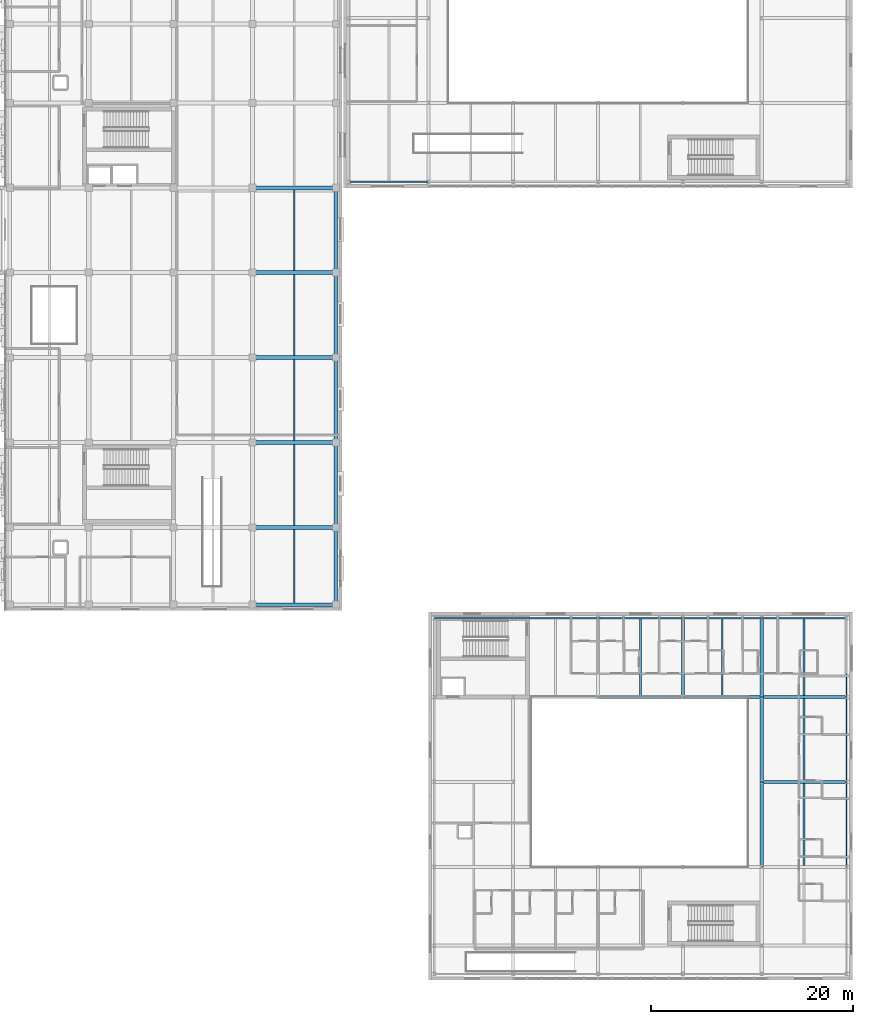
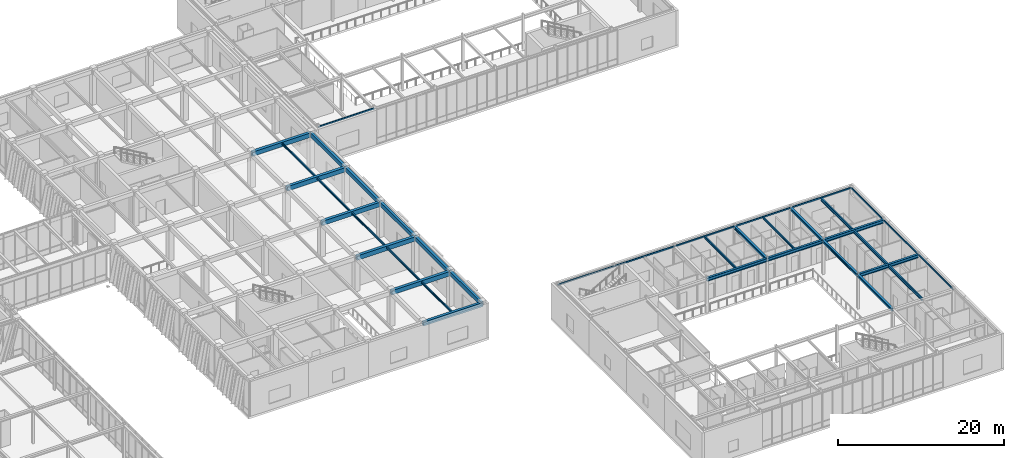
# One storey, part 82 of 139: 38 beams.
"""IFC4 building model written with IfcOpenShell, lengths in metres."""

from ifc_helpers import new_model, si_unit, direction, frame, origin, origin_2d, place, context, subcontext, project, spatial, rectangle, hollow_rectangle, i_section, extrude, material, material_profile, profile_set, type_object, element, save


model = new_model("IFC4")

# Units and contexts
model_context = context("Model", 3, precision=1e-05, world=origin(), true_north=direction((0.0, 1.0)))
body_context = subcontext(model_context, "Body", "Model", "MODEL_VIEW")
ifc_project = project(units=[si_unit("LENGTHUNIT", "METRE"), si_unit("AREAUNIT", "SQUARE_METRE"), si_unit("VOLUMEUNIT", "CUBIC_METRE"), si_unit("PLANEANGLEUNIT", "RADIAN"), si_unit("MASSUNIT", "GRAM", prefix="KILO")], contexts=[model_context])

# Site, building, storey
site_placement = place(None, origin())
site = spatial("IfcSite", under=ifc_project, at=site_placement, CompositionType="ELEMENT")
building_placement = place(site_placement, origin())
building = spatial("IfcBuilding", under=site, at=building_placement, Name="Zayran Congress Hotel", CompositionType="ELEMENT")
storey_placement = place(building_placement, frame((0.0, 0.0, 5.39990234375)))
storey = spatial("IfcBuildingStorey", under=building, at=storey_placement, Name="L01", CompositionType="ELEMENT", Elevation=5.39990234375)

# Beams
ifc_material_1 = material(Name="Concrete C40/50", Category="concrete")
ifc_material_profile_1 = material_profile(ifc_material_1, rectangle(XDim=0.39990234375, YDim=0.64990234375, at=origin_2d()), Name="RC 400x650")
ifc_profile_set_1 = profile_set([ifc_material_profile_1], Name="Concrete C40/50")
beam_type_1 = type_object("IfcBeamType", Name="TP-BM-03", PredefinedType="BEAM", material=ifc_profile_set_1)
for number, where, z_axis, x_axis, name in (
    (1, (133.800048828125, 50.800048828125, 4.775146484375), (1.0, 0.0, 0.0), (0.0, 1.0, 0.0), "BM-V4-L01-1315"),
    (2, (133.800048828125, 59.199951171875, 4.775146484375), (1.0, 0.0, 0.0), (0.0, 1.0, 0.0), "BM-V4-L01-1319"),
    (3, (133.800048828125, 67.60009765625, 4.775146484375), (1.0, 0.0, 0.0), (0.0, 1.0, 0.0), "BM-V4-L01-1323"),
    (4, (133.800048828125, 76.0, 4.775146484375), (1.0, 0.0, 0.0), (0.0, 1.0, 0.0), "BM-V4-L01-1327"),
    (5, (133.800048828125, 84.39990234375, 4.775146484375), (1.0, 0.0, 0.0), (0.0, 1.0, 0.0), "BM-V4-L01-1331"),
):
    element("IfcBeam", number, at=place(storey_placement, frame(where, z_axis=z_axis, x_axis=x_axis)), inside=storey, type_object=beam_type_1, Name=name, PredefinedType="BEAM", context=body_context, shape_type="SweptSolid", body=[
        extrude(rectangle(XDim=0.39990234375, YDim=0.64990234375, at=origin_2d()), origin(), (0.0, 0.0, 1.0), 8.25),
    ])
ifc_material_profile_2 = material_profile(ifc_material_1, rectangle(XDim=0.35009765625, YDim=0.60009765625, at=origin_2d()), Name="RC 350x600")
ifc_profile_set_2 = profile_set([ifc_material_profile_2], Name="Concrete C40/50")
beam_type_2 = type_object("IfcBeamType", Name="TP-SP-01", PredefinedType="SPANDREL", material=ifc_profile_set_2)
beam_1_placement = place(storey_placement, frame((133.800048828125, 43.14990234375, 4.800048828125), z_axis=(1.0, 0.0, 0.0), x_axis=(0.0, 1.0, 0.0)))
element("IfcBeam", 6, at=beam_1_placement, inside=storey, type_object=beam_type_2, Name="BM-V4-L01-1311", PredefinedType="SPANDREL", context=body_context, shape_type="SweptSolid", body=[
    extrude(rectangle(XDim=0.35009765625, YDim=0.60009765625, at=origin_2d()), origin(), (0.0, 0.0, 1.0), 8.25),
])
beam_2_placement = place(storey_placement, frame((142.050048828125, 43.14990234375, 4.800048828125), z_axis=(0.0, 1.0, 0.0), x_axis=(-1.0, 0.0, 0.0)))
element("IfcBeam", 7, at=beam_2_placement, inside=storey, type_object=beam_type_2, Name="BM-V4-L01-1374", PredefinedType="SPANDREL", context=body_context, shape_type="SweptSolid", body=[
    extrude(rectangle(XDim=0.35009765625, YDim=0.60009765625, at=origin_2d()), origin(), (0.0, 0.0, 1.0), 7.650146484375),
])
beam_3_placement = place(storey_placement, frame((142.050048828125, 50.800048828125, 4.800048828125), z_axis=(0.0, 1.0, 0.0), x_axis=(-1.0, 0.0, 0.0)))
element("IfcBeam", 8, at=beam_3_placement, inside=storey, type_object=beam_type_2, Name="BM-V4-L01-1375", PredefinedType="SPANDREL", context=body_context, shape_type="SweptSolid", body=[
    extrude(rectangle(XDim=0.35009765625, YDim=0.60009765625, at=origin_2d()), origin(), (0.0, 0.0, 1.0), 8.39990234375),
])
beam_4_placement = place(storey_placement, frame((142.050048828125, 59.199951171875, 4.800048828125), z_axis=(0.0, 1.0, 0.0), x_axis=(-1.0, 0.0, 0.0)))
element("IfcBeam", 9, at=beam_4_placement, inside=storey, type_object=beam_type_2, Name="BM-V4-L01-1376", PredefinedType="SPANDREL", context=body_context, shape_type="SweptSolid", body=[
    extrude(rectangle(XDim=0.35009765625, YDim=0.60009765625, at=origin_2d()), origin(), (0.0, 0.0, 1.0), 8.400146484375),
])
for number, where, z_axis, x_axis, name in (
    (10, (142.050048828125, 67.60009765625, 4.800048828125), (0.0, 1.0, 0.0), (-1.0, 0.0, 0.0), "BM-V4-L01-1377"),
    (11, (142.050048828125, 76.0, 4.800048828125), (0.0, 1.0, 0.0), (-1.0, 0.0, 0.0), "BM-V4-L01-1378"),
):
    element("IfcBeam", number, at=place(storey_placement, frame(where, z_axis=z_axis, x_axis=x_axis)), inside=storey, type_object=beam_type_2, Name=name, PredefinedType="SPANDREL", context=body_context, shape_type="SweptSolid", body=[
        extrude(rectangle(XDim=0.35009765625, YDim=0.60009765625, at=origin_2d()), origin(), (0.0, 0.0, 1.0), 8.39990234375),
    ])
ifc_material_2 = material(Name="Steel S355", Category="steel")
ifc_material_profile_3 = material_profile(ifc_material_2, i_section(OverallWidth=0.300048828125, OverallDepth=0.489990234375, WebThickness=0.011962890625, FlangeThickness=0.02294921875, at=origin_2d()), Name="HEA 500")
ifc_profile_set_3 = profile_set([ifc_material_profile_3], Name="Steel S355")
beam_type_3 = type_object("IfcBeamType", Name="TP-BM-05", PredefinedType="BEAM", material=ifc_profile_set_3)
beam_5_placement = place(storey_placement, frame((184.199951171875, 25.60009765625, 4.85498046875), z_axis=(1.0, 0.0, 0.0), x_axis=(0.0, 1.0, 0.0)))
element("IfcBeam", 12, at=beam_5_placement, inside=storey, type_object=beam_type_3, Name="BM-V3-L01-1127", PredefinedType="BEAM", context=body_context, shape_type="SweptSolid", body=[
    extrude(i_section(OverallWidth=0.300048828125, OverallDepth=0.489990234375, WebThickness=0.011962890625, FlangeThickness=0.02294921875, at=origin_2d()), origin(), (0.0, 0.0, 1.0), 8.400146484375),
])
beam_6_placement = place(storey_placement, frame((168.0, 34.0, 4.85498046875), z_axis=(1.0, 0.0, 0.0), x_axis=(0.0, 1.0, 0.0)))
element("IfcBeam", 13, at=beam_6_placement, inside=storey, type_object=beam_type_3, Name="BM-V3-L01-1130", PredefinedType="BEAM", context=body_context, shape_type="SweptSolid", body=[
    extrude(i_section(OverallWidth=0.300048828125, OverallDepth=0.489990234375, WebThickness=0.011962890625, FlangeThickness=0.02294921875, at=origin_2d()), origin(), (0.0, 0.0, 1.0), 8.39990234375),
])
beam_7_placement = place(storey_placement, frame((176.39990234375, 34.0, 4.85498046875), z_axis=(1.0, 0.0, 0.0), x_axis=(0.0, 1.0, 0.0)))
element("IfcBeam", 14, at=beam_7_placement, inside=storey, type_object=beam_type_3, Name="BM-V3-L01-1131", PredefinedType="BEAM", context=body_context, shape_type="SweptSolid", body=[
    extrude(i_section(OverallWidth=0.300048828125, OverallDepth=0.489990234375, WebThickness=0.011962890625, FlangeThickness=0.02294921875, at=origin_2d()), origin(), (0.0, 0.0, 1.0), 7.800048828125),
])
beam_8_placement = place(storey_placement, frame((184.199951171875, 34.0, 4.85498046875), z_axis=(1.0, 0.0, 0.0), x_axis=(0.0, 1.0, 0.0)))
element("IfcBeam", 15, at=beam_8_placement, inside=storey, type_object=beam_type_3, Name="BM-V3-L01-1132", PredefinedType="BEAM", context=body_context, shape_type="SweptSolid", body=[
    extrude(i_section(OverallWidth=0.300048828125, OverallDepth=0.489990234375, WebThickness=0.011962890625, FlangeThickness=0.02294921875, at=origin_2d()), origin(), (0.0, 0.0, 1.0), 8.400146484375),
])
ifc_material_profile_4 = material_profile(ifc_material_2, i_section(OverallWidth=0.300048828125, OverallDepth=0.389892578125, WebThickness=0.010986328125, FlangeThickness=0.01904296875, at=origin_2d()), Name="HEA 400")
ifc_profile_set_4 = profile_set([ifc_material_profile_4], Name="Steel S355")
beam_type_4 = type_object("IfcBeamType", Name="TP-BM-06", PredefinedType="BEAM", material=ifc_profile_set_4)
beam_9_placement = place(storey_placement, frame((176.39990234375, 34.0, 4.905029296875), z_axis=(0.0, 1.0, 0.0), x_axis=(-1.0, 0.0, 0.0)))
element("IfcBeam", 16, at=beam_9_placement, inside=storey, type_object=beam_type_4, Name="BM-V3-L01-1151", PredefinedType="BEAM", context=body_context, shape_type="SweptSolid", body=[
    extrude(i_section(OverallWidth=0.300048828125, OverallDepth=0.389892578125, WebThickness=0.010986328125, FlangeThickness=0.01904296875, at=origin_2d()), origin(), (0.0, 0.0, 1.0), 7.800048828125),
])
beam_10_placement = place(storey_placement, frame((184.199951171875, 17.199951171875, 4.905029296875), z_axis=(0.0, 1.0, 0.0), x_axis=(-1.0, 0.0, 0.0)))
element("IfcBeam", 17, at=beam_10_placement, inside=storey, type_object=beam_type_4, Name="BM-V3-L01-1154", PredefinedType="BEAM", context=body_context, shape_type="SweptSolid", body=[
    extrude(i_section(OverallWidth=0.300048828125, OverallDepth=0.389892578125, WebThickness=0.010986328125, FlangeThickness=0.01904296875, at=origin_2d()), origin(), (0.0, 0.0, 1.0), 8.400146484375),
])
beam_11_placement = place(storey_placement, frame((184.199951171875, 25.60009765625, 4.905029296875), z_axis=(0.0, 1.0, 0.0), x_axis=(-1.0, 0.0, 0.0)))
element("IfcBeam", 18, at=beam_11_placement, inside=storey, type_object=beam_type_4, Name="BM-V3-L01-1155", PredefinedType="BEAM", context=body_context, shape_type="SweptSolid", body=[
    extrude(i_section(OverallWidth=0.300048828125, OverallDepth=0.389892578125, WebThickness=0.010986328125, FlangeThickness=0.01904296875, at=origin_2d()), origin(), (0.0, 0.0, 1.0), 8.39990234375),
])
beam_12_placement = place(storey_placement, frame((184.199951171875, 34.0, 4.905029296875), z_axis=(0.0, 1.0, 0.0), x_axis=(-1.0, 0.0, 0.0)))
element("IfcBeam", 19, at=beam_12_placement, inside=storey, type_object=beam_type_4, Name="BM-V3-L01-1156", PredefinedType="BEAM", context=body_context, shape_type="SweptSolid", body=[
    extrude(i_section(OverallWidth=0.300048828125, OverallDepth=0.389892578125, WebThickness=0.010986328125, FlangeThickness=0.01904296875, at=origin_2d()), origin(), (0.0, 0.0, 1.0), 7.800048828125),
])
ifc_material_profile_5 = material_profile(ifc_material_2, i_section(OverallWidth=0.18994140625, OverallDepth=0.449951171875, WebThickness=0.009521484375, FlangeThickness=0.0146484375, at=origin_2d()), Name="IPE 450")
ifc_profile_set_5 = profile_set([ifc_material_profile_5], Name="Steel S355")
beam_type_5 = type_object("IfcBeamType", Name="TP-JS-02", PredefinedType="JOIST", material=ifc_profile_set_5)
beam_13_placement = place(storey_placement, frame((188.39990234375, 17.35009765625, 4.875), z_axis=(0.0, 1.0, 0.0), x_axis=(-1.0, 0.0, 0.0)))
element("IfcBeam", 20, at=beam_13_placement, inside=storey, type_object=beam_type_5, Name="JST-V3-L01-1171", PredefinedType="JOIST", context=body_context, shape_type="SweptSolid", body=[
    extrude(i_section(OverallWidth=0.18994140625, OverallDepth=0.449951171875, WebThickness=0.009521484375, FlangeThickness=0.0146484375, at=origin_2d()), origin(), (0.0, 0.0, 1.0), 8.099853515625),
])
beam_14_placement = place(storey_placement, frame((188.39990234375, 25.75, 4.875), z_axis=(0.0, 1.0, 0.0), x_axis=(-1.0, 0.0, 0.0)))
element("IfcBeam", 21, at=beam_14_placement, inside=storey, type_object=beam_type_5, Name="JST-V3-L01-1172", PredefinedType="JOIST", context=body_context, shape_type="SweptSolid", body=[
    extrude(i_section(OverallWidth=0.18994140625, OverallDepth=0.449951171875, WebThickness=0.009521484375, FlangeThickness=0.0146484375, at=origin_2d()), origin(), (0.0, 0.0, 1.0), 8.10009765625),
])
beam_15_placement = place(storey_placement, frame((188.39990234375, 34.14990234375, 4.875), z_axis=(0.0, 1.0, 0.0), x_axis=(-1.0, 0.0, 0.0)))
element("IfcBeam", 22, at=beam_15_placement, inside=storey, type_object=beam_type_5, Name="JST-V3-L01-1173", PredefinedType="JOIST", context=body_context, shape_type="SweptSolid", body=[
    extrude(i_section(OverallWidth=0.18994140625, OverallDepth=0.449951171875, WebThickness=0.009521484375, FlangeThickness=0.0146484375, at=origin_2d()), origin(), (0.0, 0.0, 1.0), 7.590087890625),
])
ifc_material_profile_6 = material_profile(ifc_material_2, i_section(OverallWidth=0.169921875, OverallDepth=0.360107421875, WebThickness=0.008056640625, FlangeThickness=0.0126953125, at=origin_2d()), Name="IPE 360")
ifc_profile_set_6 = profile_set([ifc_material_profile_6], Name="Steel S355")
beam_type_6 = type_object("IfcBeamType", Name="TP-JS-04", PredefinedType="JOIST", material=ifc_profile_set_6)
beam_16_placement = place(storey_placement, frame((172.199951171875, 34.14990234375, 4.920166015625), z_axis=(0.0, 1.0, 0.0), x_axis=(-1.0, 0.0, 0.0)))
element("IfcBeam", 23, at=beam_16_placement, inside=storey, type_object=beam_type_6, Name="JST-V3-L01-1168", PredefinedType="JOIST", context=body_context, shape_type="SweptSolid", body=[
    extrude(i_section(OverallWidth=0.169921875, OverallDepth=0.360107421875, WebThickness=0.008056640625, FlangeThickness=0.0126953125, at=origin_2d()), origin(), (0.0, 0.0, 1.0), 7.590087890625),
])
ifc_material_profile_7 = material_profile(ifc_material_2, i_section(OverallWidth=0.14990234375, OverallDepth=0.300048828125, WebThickness=0.007080078125, FlangeThickness=0.0107421875, at=origin_2d()), Name="IPE 300")
ifc_profile_set_7 = profile_set([ifc_material_profile_7], Name="Steel S355")
beam_type_7 = type_object("IfcBeamType", Name="TP-JS-05", PredefinedType="JOIST", material=ifc_profile_set_7)
beam_17_placement = place(storey_placement, frame((180.300048828125, 34.14990234375, 4.9501953125), z_axis=(0.0, 1.0, 0.0), x_axis=(-1.0, 0.0, 0.0)))
element("IfcBeam", 24, at=beam_17_placement, inside=storey, type_object=beam_type_7, Name="JST-V3-L01-1169", PredefinedType="JOIST", context=body_context, shape_type="SweptSolid", body=[
    extrude(i_section(OverallWidth=0.14990234375, OverallDepth=0.300048828125, WebThickness=0.007080078125, FlangeThickness=0.0107421875, at=origin_2d()), origin(), (0.0, 0.0, 1.0), 7.590087890625),
])
beam_18_placement = place(storey_placement, frame((137.925048828125, 43.324951171875, 4.9501953125), z_axis=(0.0, 1.0, 0.0), x_axis=(-1.0, 0.0, 0.0)))
element("IfcBeam", 25, at=beam_18_placement, inside=storey, type_object=beam_type_7, Name="JST-V4-L01-1404", PredefinedType="JOIST", context=body_context, shape_type="SweptSolid", body=[
    extrude(i_section(OverallWidth=0.14990234375, OverallDepth=0.300048828125, WebThickness=0.007080078125, FlangeThickness=0.0107421875, at=origin_2d()), origin(), (0.0, 0.0, 1.0), 7.275146484375),
])
for number, where, z_axis, x_axis, name in (
    (26, (137.925048828125, 51.0, 4.9501953125), (0.0, 1.0, 0.0), (-1.0, 0.0, 0.0), "JST-V4-L01-1405"),
    (27, (137.925048828125, 59.39990234375, 4.9501953125), (0.0, 1.0, 0.0), (-1.0, 0.0, 0.0), "JST-V4-L01-1406"),
    (28, (137.925048828125, 67.800048828125, 4.9501953125), (0.0, 1.0, 0.0), (-1.0, 0.0, 0.0), "JST-V4-L01-1407"),
    (29, (137.925048828125, 76.199951171875, 4.9501953125), (0.0, 1.0, 0.0), (-1.0, 0.0, 0.0), "JST-V4-L01-1408"),
):
    element("IfcBeam", number, at=place(storey_placement, frame(where, z_axis=z_axis, x_axis=x_axis)), inside=storey, type_object=beam_type_7, Name=name, PredefinedType="JOIST", context=body_context, shape_type="SweptSolid", body=[
        extrude(i_section(OverallWidth=0.14990234375, OverallDepth=0.300048828125, WebThickness=0.007080078125, FlangeThickness=0.0107421875, at=origin_2d()), origin(), (0.0, 0.0, 1.0), 8.0),
    ])
ifc_material_profile_8 = material_profile(ifc_material_2, hollow_rectangle(XDim=0.1201171875, YDim=0.199951171875, WallThickness=0.008056640625, at=origin_2d()), Name="RHS 200x120x8")
ifc_profile_set_8 = profile_set([ifc_material_profile_8], Name="Steel S355")
beam_type_8 = type_object("IfcBeamType", Name="TP-SP-02", PredefinedType="SPANDREL", material=ifc_profile_set_8)
for number, where, z_axis, x_axis, name in (
    (30, (143.39990234375, 85.0, 4.97998046875), (1.0, 0.0, 0.0), (0.0, 1.0, 0.0), "BM-V2-L01-0953"),
    (31, (151.800048828125, 41.800048828125, 5.0), (1.0, 0.0, 0.0), (0.0, 1.0, 0.0), "BM-V3-L01-1133"),
):
    element("IfcBeam", number, at=place(storey_placement, frame(where, z_axis=z_axis, x_axis=x_axis)), inside=storey, type_object=beam_type_8, Name=name, PredefinedType="SPANDREL", context=body_context, shape_type="SweptSolid", body=[
        extrude(hollow_rectangle(XDim=0.1201171875, YDim=0.199951171875, WallThickness=0.008056640625, at=origin_2d()), origin(), (0.0, 0.0, 1.0), 7.800048828125),
    ])
for number, where, z_axis, x_axis, name in (
    (32, (159.60009765625, 41.800048828125, 5.0), (1.0, 0.0, 0.0), (0.0, 1.0, 0.0), "BM-V3-L01-1134"),
    (33, (168.0, 41.800048828125, 5.0), (1.0, 0.0, 0.0), (0.0, 1.0, 0.0), "BM-V3-L01-1135"),
):
    element("IfcBeam", number, at=place(storey_placement, frame(where, z_axis=z_axis, x_axis=x_axis)), inside=storey, type_object=beam_type_8, Name=name, PredefinedType="SPANDREL", context=body_context, shape_type="SweptSolid", body=[
        extrude(hollow_rectangle(XDim=0.1201171875, YDim=0.199951171875, WallThickness=0.008056640625, at=origin_2d()), origin(), (0.0, 0.0, 1.0), 8.39990234375),
    ])
beam_19_placement = place(storey_placement, frame((176.39990234375, 41.800048828125, 5.0), z_axis=(1.0, 0.0, 0.0), x_axis=(0.0, 1.0, 0.0)))
element("IfcBeam", 34, at=beam_19_placement, inside=storey, type_object=beam_type_8, Name="BM-V3-L01-1136", PredefinedType="SPANDREL", context=body_context, shape_type="SweptSolid", body=[
    extrude(hollow_rectangle(XDim=0.1201171875, YDim=0.199951171875, WallThickness=0.008056640625, at=origin_2d()), origin(), (0.0, 0.0, 1.0), 7.800048828125),
])
for number, where, z_axis, x_axis, name in (
    (35, (184.199951171875, 41.800048828125, 5.0), (1.0, 0.0, 0.0), (0.0, 1.0, 0.0), "BM-V3-L01-1137"),
    (36, (192.60009765625, 17.199951171875, 5.0), (0.0, 1.0, 0.0), (-1.0, 0.0, 0.0), "BM-V3-L01-1159"),
):
    element("IfcBeam", number, at=place(storey_placement, frame(where, z_axis=z_axis, x_axis=x_axis)), inside=storey, type_object=beam_type_8, Name=name, PredefinedType="SPANDREL", context=body_context, shape_type="SweptSolid", body=[
        extrude(hollow_rectangle(XDim=0.1201171875, YDim=0.199951171875, WallThickness=0.008056640625, at=origin_2d()), origin(), (0.0, 0.0, 1.0), 8.400146484375),
    ])
beam_20_placement = place(storey_placement, frame((192.60009765625, 25.60009765625, 5.0), z_axis=(0.0, 1.0, 0.0), x_axis=(-1.0, 0.0, 0.0)))
element("IfcBeam", 37, at=beam_20_placement, inside=storey, type_object=beam_type_8, Name="BM-V3-L01-1160", PredefinedType="SPANDREL", context=body_context, shape_type="SweptSolid", body=[
    extrude(hollow_rectangle(XDim=0.1201171875, YDim=0.199951171875, WallThickness=0.008056640625, at=origin_2d()), origin(), (0.0, 0.0, 1.0), 8.39990234375),
])
beam_21_placement = place(storey_placement, frame((192.60009765625, 34.0, 5.0), z_axis=(0.0, 1.0, 0.0), x_axis=(-1.0, 0.0, 0.0)))
element("IfcBeam", 38, at=beam_21_placement, inside=storey, type_object=beam_type_8, Name="BM-V3-L01-1161", PredefinedType="SPANDREL", context=body_context, shape_type="SweptSolid", body=[
    extrude(hollow_rectangle(XDim=0.1201171875, YDim=0.199951171875, WallThickness=0.008056640625, at=origin_2d()), origin(), (0.0, 0.0, 1.0), 7.800048828125),
])

save(model, "model.ifc")
